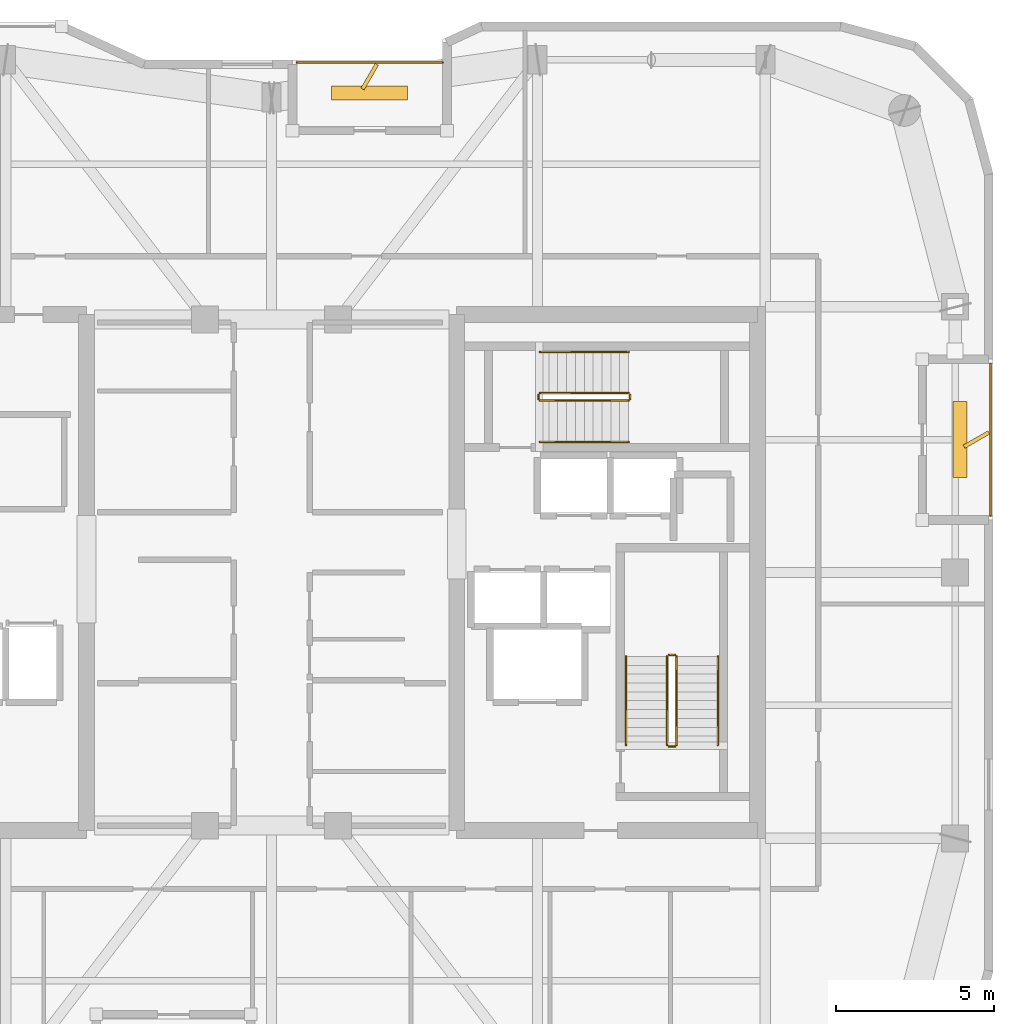
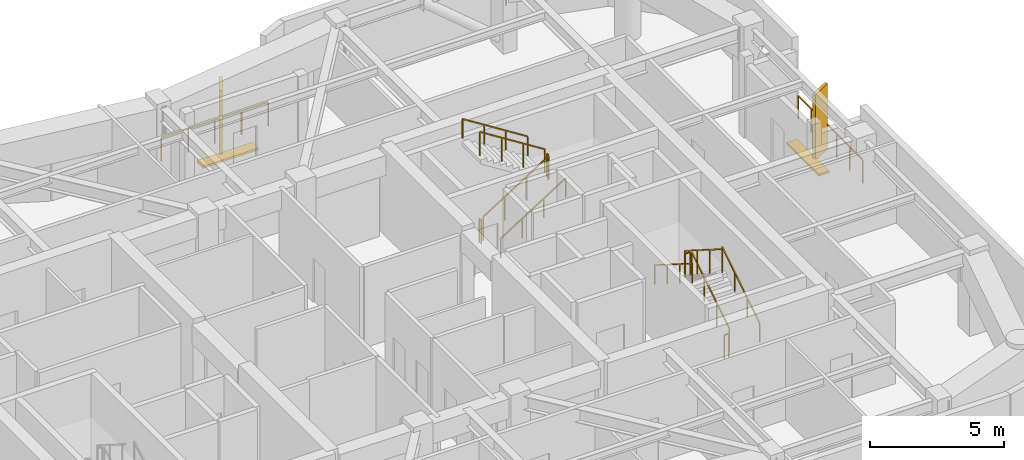
# One storey, part 15 of 15: 14 railings, 4 shading devices.
"""IFC4 building model written with IfcOpenShell, lengths in metres."""

from ifc_helpers import new_model, si_unit, direction, frame, origin, origin_2d, place, context, subcontext, project, spatial, rectangle, extrude, material, type_object, element, save


model = new_model("IFC4")

# Units and contexts
model_context = context("Model", 3, precision=1e-05, world=origin(), true_north=direction((0.0, 1.0)))
body_context = subcontext(model_context, "Body", "Model", "MODEL_VIEW")
ifc_project = project(units=[si_unit("LENGTHUNIT", "METRE"), si_unit("AREAUNIT", "SQUARE_METRE"), si_unit("VOLUMEUNIT", "CUBIC_METRE"), si_unit("PLANEANGLEUNIT", "RADIAN"), si_unit("MASSUNIT", "GRAM", prefix="KILO")], contexts=[model_context])

# Site, building, storey
site_placement = place(None, origin())
site = spatial("IfcSite", under=ifc_project, at=site_placement, CompositionType="ELEMENT")
building_placement = place(site_placement, origin())
building = spatial("IfcBuilding", under=site, at=building_placement, Name="Kiyonajd Concourse Tower", CompositionType="ELEMENT")
storey_placement = place(building_placement, frame((0.0, 0.0, 314.10009765625)))
storey = spatial("IfcBuildingStorey", under=building, at=storey_placement, Name="L79", CompositionType="ELEMENT", Elevation=314.10009765625)

# Railings
ifc_material_1 = material(Name="Thermally Broken Anodised Aluminium", Category="aluminium")
railing_type_1 = type_object("IfcRailingType", Name="RL-GRD-LOG", PredefinedType="GUARDRAIL", material=ifc_material_1)
railing_1_placement = place(storey_placement, frame((53.39990234375, 52.1201171875, 0.0)))
element("IfcRailing", 1, at=railing_1_placement, inside=storey, type_object=railing_type_1, Name="L79 Engawa Loggia Perimeter Guard LOG-N", PredefinedType="GUARDRAIL", context=body_context, shape_type="SweptSolid", body=[
    extrude(rectangle(XDim=0.048095703125, YDim=0.048095703125, at=origin_2d()), frame((0.0, 0.0, 1.076171875), z_axis=(-1.0, 0.0, 0.0), x_axis=(0.0, -1.0, 0.0)), (0.0, 0.0, 1.0), 4.599853515625),
    extrude(rectangle(XDim=0.0419921875, YDim=0.0419921875, at=origin_2d()), origin(), (0.0, 0.0, 1.0), 1.052001953125),
    extrude(rectangle(XDim=0.0419921875, YDim=0.0419921875, at=origin_2d()), frame((-1.14990234375, 0.0, 0.0)), (0.0, 0.0, 1.0), 1.052001953125),
    extrude(rectangle(XDim=0.0419921875, YDim=0.0419921875, at=origin_2d()), frame((-2.2998046875, 0.0, 0.0)), (0.0, 0.0, 1.0), 1.052001953125),
    extrude(rectangle(XDim=0.0419921875, YDim=0.0419921875, at=origin_2d()), frame((-3.449951171875, 0.0, 0.0)), (0.0, 0.0, 1.0), 1.052001953125),
    extrude(rectangle(XDim=0.0419921875, YDim=0.0419921875, at=origin_2d()), frame((-4.599853515625, 0.0, 0.0)), (0.0, 0.0, 1.0), 1.052001953125),
])
railing_2_placement = place(storey_placement, frame((70.719970703125, 37.800048828125, 0.0)))
element("IfcRailing", 2, at=railing_2_placement, inside=storey, type_object=railing_type_1, Name="L79 Engawa Loggia Perimeter Guard LOG-E", PredefinedType="GUARDRAIL", context=body_context, shape_type="SweptSolid", body=[
    extrude(rectangle(XDim=0.048095703125, YDim=0.048095703125, at=origin_2d()), frame((0.0, 0.0, 1.076171875), z_axis=(0.0, 1.0, 0.0), x_axis=(-1.0, 0.0, 0.0)), (0.0, 0.0, 1.0), 4.800048828125),
    extrude(rectangle(XDim=0.0419921875, YDim=0.0419921875, at=origin_2d()), origin(), (0.0, 0.0, 1.0), 1.052001953125),
    extrude(rectangle(XDim=0.0419921875, YDim=0.0419921875, at=origin_2d()), frame((0.0, 0.9599609375, 0.0)), (0.0, 0.0, 1.0), 1.052001953125),
    extrude(rectangle(XDim=0.0419921875, YDim=0.0419921875, at=origin_2d()), frame((0.0, 1.919921875, 0.0)), (0.0, 0.0, 1.0), 1.052001953125),
    extrude(rectangle(XDim=0.0419921875, YDim=0.0419921875, at=origin_2d()), frame((0.0, 2.880126953125, 0.0)), (0.0, 0.0, 1.0), 1.052001953125),
    extrude(rectangle(XDim=0.0419921875, YDim=0.0419921875, at=origin_2d()), frame((0.0, 3.840087890625, 0.0)), (0.0, 0.0, 1.0), 1.052001953125),
    extrude(rectangle(XDim=0.0419921875, YDim=0.0419921875, at=origin_2d()), frame((0.0, 4.800048828125, 0.0)), (0.0, 0.0, 1.0), 1.052001953125),
])
ifc_material_2 = material(Name="Steel ASTM A500 Grade C", Category="steel")
railing_type_2 = type_object("IfcRailingType", Name="RL-GRD-STR", PredefinedType="GUARDRAIL", material=ifc_material_2)
railing_3_placement = place(storey_placement, frame((60.800048828125, 30.550048828125, 0.17724609375)))
element("IfcRailing", 3, at=railing_3_placement, inside=storey, type_object=railing_type_2, Name="L79 ST2 stair guard 1", PredefinedType="GUARDRAIL", context=body_context, shape_type="SweptSolid", body=[
    extrude(rectangle(XDim=0.048095703125, YDim=0.048095703125, at=origin_2d()), frame((0.0, 0.0, 1.076171875), z_axis=(0.0, 0.844908973607, 0.534910110503), x_axis=(-1.0, 0.0, 0.0)), (0.0, 0.0, 1.0), 3.31396484375),
    extrude(rectangle(XDim=0.0419921875, YDim=0.0419921875, at=origin_2d()), origin(), (0.0, 0.0, 1.0), 1.052001953125),
    extrude(rectangle(XDim=0.0419921875, YDim=0.0419921875, at=origin_2d()), frame((0.0, 0.933349609375, 0.5908203125)), (0.0, 0.0, 1.0), 1.052001953125),
    extrude(rectangle(XDim=0.0419921875, YDim=0.0419921875, at=origin_2d()), frame((0.0, 1.86669921875, 1.181884765625)), (0.0, 0.0, 1.0), 1.052001953125),
    extrude(rectangle(XDim=0.0419921875, YDim=0.0419921875, at=origin_2d()), frame((0.0, 2.800048828125, 1.772705078125)), (0.0, 0.0, 1.0), 1.052001953125),
])
railing_4_placement = place(storey_placement, frame((60.75, 33.39990234375, 1.949951171875)))
element("IfcRailing", 4, at=railing_4_placement, inside=storey, type_object=railing_type_2, Name="L79 ST2 stair guard 2", PredefinedType="GUARDRAIL", context=body_context, shape_type="SweptSolid", body=[
    extrude(rectangle(XDim=0.048095703125, YDim=0.048095703125, at=origin_2d()), frame((0.0, 0.0, 1.076171875), z_axis=(-1.0, 0.0, 0.0), x_axis=(0.0, -1.0, 0.0)), (0.0, 0.0, 1.0), 0.199951171875),
    extrude(rectangle(XDim=0.0419921875, YDim=0.0419921875, at=origin_2d()), origin(), (0.0, 0.0, 1.0), 1.052001953125),
    extrude(rectangle(XDim=0.0419921875, YDim=0.0419921875, at=origin_2d()), frame((-0.199951171875, 0.0, 0.0)), (0.0, 0.0, 1.0), 1.052001953125),
])
railing_5_placement = place(storey_placement, frame((60.5, 33.35009765625, 2.127197265625)))
element("IfcRailing", 5, at=railing_5_placement, inside=storey, type_object=railing_type_2, Name="L79 ST2 stair guard 3", PredefinedType="GUARDRAIL", context=body_context, shape_type="SweptSolid", body=[
    extrude(rectangle(XDim=0.048095703125, YDim=0.048095703125, at=origin_2d()), frame((0.0, 0.0, 1.076171875), z_axis=(0.0, -0.844908973607, 0.534910110503), x_axis=(1.0, 0.0, 0.0)), (0.0, 0.0, 1.0), 3.31396484375),
    extrude(rectangle(XDim=0.0419921875, YDim=0.0419921875, at=origin_2d()), origin(), (0.0, 0.0, 1.0), 1.052001953125),
    extrude(rectangle(XDim=0.0419921875, YDim=0.0419921875, at=origin_2d()), frame((0.0, -0.933349609375, 0.5908203125)), (0.0, 0.0, 1.0), 1.052001953125),
    extrude(rectangle(XDim=0.0419921875, YDim=0.0419921875, at=origin_2d()), frame((0.0, -1.86669921875, 1.181884765625)), (0.0, 0.0, 1.0), 1.052001953125),
    extrude(rectangle(XDim=0.0419921875, YDim=0.0419921875, at=origin_2d()), frame((0.0, -2.800048828125, 1.772705078125)), (0.0, 0.0, 1.0), 1.052001953125),
])
railing_6_placement = place(storey_placement, frame((60.75, 30.5, 0.0)))
element("IfcRailing", 6, at=railing_6_placement, inside=storey, type_object=railing_type_2, Name="L79 ST2 stair guard 4", PredefinedType="GUARDRAIL", context=body_context, shape_type="SweptSolid", body=[
    extrude(rectangle(XDim=0.048095703125, YDim=0.048095703125, at=origin_2d()), frame((0.0, 0.0, 1.076171875), z_axis=(-1.0, 0.0, 0.0), x_axis=(0.0, -1.0, 0.0)), (0.0, 0.0, 1.0), 0.199951171875),
    extrude(rectangle(XDim=0.0419921875, YDim=0.0419921875, at=origin_2d()), origin(), (0.0, 0.0, 1.0), 1.052001953125),
    extrude(rectangle(XDim=0.0419921875, YDim=0.0419921875, at=origin_2d()), frame((-0.199951171875, 0.0, 0.0)), (0.0, 0.0, 1.0), 1.052001953125),
])
railing_7_placement = place(storey_placement, frame((56.47998046875, 41.429931640625, 0.17724609375)))
element("IfcRailing", 7, at=railing_7_placement, inside=storey, type_object=railing_type_2, Name="L79 ST3 stair guard 1", PredefinedType="GUARDRAIL", context=body_context, shape_type="SweptSolid", body=[
    extrude(rectangle(XDim=0.048095703125, YDim=0.048095703125, at=origin_2d()), frame((0.0, 0.0, 1.076171875), z_axis=(0.844908973607, 0.0, 0.534910110503), x_axis=(0.0, 1.0, 0.0)), (0.0, 0.0, 1.0), 3.31396484375),
    extrude(rectangle(XDim=0.0419921875, YDim=0.0419921875, at=origin_2d()), origin(), (0.0, 0.0, 1.0), 1.052001953125),
    extrude(rectangle(XDim=0.0419921875, YDim=0.0419921875, at=origin_2d()), frame((0.933349609375, 0.0, 0.5908203125)), (0.0, 0.0, 1.0), 1.052001953125),
    extrude(rectangle(XDim=0.0419921875, YDim=0.0419921875, at=origin_2d()), frame((1.86669921875, 0.0, 1.181884765625)), (0.0, 0.0, 1.0), 1.052001953125),
    extrude(rectangle(XDim=0.0419921875, YDim=0.0419921875, at=origin_2d()), frame((2.800048828125, 0.0, 1.772705078125)), (0.0, 0.0, 1.0), 1.052001953125),
])
railing_8_placement = place(storey_placement, frame((59.330078125, 41.47998046875, 1.949951171875)))
element("IfcRailing", 8, at=railing_8_placement, inside=storey, type_object=railing_type_2, Name="L79 ST3 stair guard 2", PredefinedType="GUARDRAIL", context=body_context, shape_type="SweptSolid", body=[
    extrude(rectangle(XDim=0.048095703125, YDim=0.048095703125, at=origin_2d()), frame((0.0, 0.0, 1.076171875), z_axis=(0.0, 1.0, 0.0), x_axis=(-1.0, 0.0, 0.0)), (0.0, 0.0, 1.0), 0.14013671875),
    extrude(rectangle(XDim=0.0419921875, YDim=0.0419921875, at=origin_2d()), origin(), (0.0, 0.0, 1.0), 1.052001953125),
    extrude(rectangle(XDim=0.0419921875, YDim=0.0419921875, at=origin_2d()), frame((0.0, 0.14013671875, 0.0)), (0.0, 0.0, 1.0), 1.052001953125),
])
railing_9_placement = place(storey_placement, frame((59.280029296875, 41.669921875, 2.127197265625)))
element("IfcRailing", 9, at=railing_9_placement, inside=storey, type_object=railing_type_2, Name="L79 ST3 stair guard 3", PredefinedType="GUARDRAIL", context=body_context, shape_type="SweptSolid", body=[
    extrude(rectangle(XDim=0.048095703125, YDim=0.048095703125, at=origin_2d()), frame((0.0, 0.0, 1.076171875), z_axis=(-0.844908973607, 0.0, 0.534910110503), x_axis=(0.0, -1.0, 0.0)), (0.0, 0.0, 1.0), 3.31396484375),
    extrude(rectangle(XDim=0.0419921875, YDim=0.0419921875, at=origin_2d()), origin(), (0.0, 0.0, 1.0), 1.052001953125),
    extrude(rectangle(XDim=0.0419921875, YDim=0.0419921875, at=origin_2d()), frame((-0.933349609375, 0.0, 0.5908203125)), (0.0, 0.0, 1.0), 1.052001953125),
    extrude(rectangle(XDim=0.0419921875, YDim=0.0419921875, at=origin_2d()), frame((-1.86669921875, 0.0, 1.181884765625)), (0.0, 0.0, 1.0), 1.052001953125),
    extrude(rectangle(XDim=0.0419921875, YDim=0.0419921875, at=origin_2d()), frame((-2.800048828125, 0.0, 1.772705078125)), (0.0, 0.0, 1.0), 1.052001953125),
])
railing_10_placement = place(storey_placement, frame((56.429931640625, 41.47998046875, 0.0)))
element("IfcRailing", 10, at=railing_10_placement, inside=storey, type_object=railing_type_2, Name="L79 ST3 stair guard 4", PredefinedType="GUARDRAIL", context=body_context, shape_type="SweptSolid", body=[
    extrude(rectangle(XDim=0.048095703125, YDim=0.048095703125, at=origin_2d()), frame((0.0, 0.0, 1.076171875), z_axis=(0.0, 1.0, 0.0), x_axis=(-1.0, 0.0, 0.0)), (0.0, 0.0, 1.0), 0.14013671875),
    extrude(rectangle(XDim=0.0419921875, YDim=0.0419921875, at=origin_2d()), origin(), (0.0, 0.0, 1.0), 1.052001953125),
    extrude(rectangle(XDim=0.0419921875, YDim=0.0419921875, at=origin_2d()), frame((0.0, 0.14013671875, 0.0)), (0.0, 0.0, 1.0), 1.052001953125),
])
ifc_material_3 = material(Name="Brushed Stainless Steel Cab Assembly", Category="steel")
railing_type_3 = type_object("IfcRailingType", Name="RL-HND-900", PredefinedType="HANDRAIL", material=ifc_material_3)
railing_11_placement = place(storey_placement, frame((62.10009765625, 30.550048828125, 0.17724609375)))
element("IfcRailing", 11, at=railing_11_placement, inside=storey, type_object=railing_type_3, Name="L79 ST2 stair handrail 1", PredefinedType="HANDRAIL", context=body_context, shape_type="SweptSolid", body=[
    extrude(rectangle(XDim=0.048095703125, YDim=0.048095703125, at=origin_2d()), frame((0.0, 0.0, 0.8759765625), z_axis=(0.0, 0.844908973607, 0.534910110503), x_axis=(-1.0, 0.0, 0.0)), (0.0, 0.0, 1.0), 3.31396484375),
    extrude(rectangle(XDim=0.0419921875, YDim=0.0419921875, at=origin_2d()), origin(), (0.0, 0.0, 1.0), 0.851806640625),
    extrude(rectangle(XDim=0.0419921875, YDim=0.0419921875, at=origin_2d()), frame((0.0, 0.933349609375, 0.5908203125)), (0.0, 0.0, 1.0), 0.851806640625),
    extrude(rectangle(XDim=0.0419921875, YDim=0.0419921875, at=origin_2d()), frame((0.0, 1.86669921875, 1.181884765625)), (0.0, 0.0, 1.0), 0.851806640625),
    extrude(rectangle(XDim=0.0419921875, YDim=0.0419921875, at=origin_2d()), frame((0.0, 2.800048828125, 1.772705078125)), (0.0, 0.0, 1.0), 0.851806640625),
])
railing_12_placement = place(storey_placement, frame((59.199951171875, 33.35009765625, 2.127197265625)))
element("IfcRailing", 12, at=railing_12_placement, inside=storey, type_object=railing_type_3, Name="L79 ST2 stair handrail 2", PredefinedType="HANDRAIL", context=body_context, shape_type="SweptSolid", body=[
    extrude(rectangle(XDim=0.048095703125, YDim=0.048095703125, at=origin_2d()), frame((0.0, 0.0, 0.8759765625), z_axis=(0.0, -0.844908973607, 0.534910110503), x_axis=(1.0, 0.0, 0.0)), (0.0, 0.0, 1.0), 3.31396484375),
    extrude(rectangle(XDim=0.0419921875, YDim=0.0419921875, at=origin_2d()), origin(), (0.0, 0.0, 1.0), 0.851806640625),
    extrude(rectangle(XDim=0.0419921875, YDim=0.0419921875, at=origin_2d()), frame((0.0, -0.933349609375, 0.5908203125)), (0.0, 0.0, 1.0), 0.851806640625),
    extrude(rectangle(XDim=0.0419921875, YDim=0.0419921875, at=origin_2d()), frame((0.0, -1.86669921875, 1.181884765625)), (0.0, 0.0, 1.0), 0.851806640625),
    extrude(rectangle(XDim=0.0419921875, YDim=0.0419921875, at=origin_2d()), frame((0.0, -2.800048828125, 1.772705078125)), (0.0, 0.0, 1.0), 0.851806640625),
])
railing_13_placement = place(storey_placement, frame((56.47998046875, 40.1298828125, 0.17724609375)))
element("IfcRailing", 13, at=railing_13_placement, inside=storey, type_object=railing_type_3, Name="L79 ST3 stair handrail 1", PredefinedType="HANDRAIL", context=body_context, shape_type="SweptSolid", body=[
    extrude(rectangle(XDim=0.048095703125, YDim=0.048095703125, at=origin_2d()), frame((0.0, 0.0, 0.8759765625), z_axis=(0.844908973607, 0.0, 0.534910110503), x_axis=(0.0, 1.0, 0.0)), (0.0, 0.0, 1.0), 3.31396484375),
    extrude(rectangle(XDim=0.0419921875, YDim=0.0419921875, at=origin_2d()), origin(), (0.0, 0.0, 1.0), 0.851806640625),
    extrude(rectangle(XDim=0.0419921875, YDim=0.0419921875, at=origin_2d()), frame((0.933349609375, 0.0, 0.5908203125)), (0.0, 0.0, 1.0), 0.851806640625),
    extrude(rectangle(XDim=0.0419921875, YDim=0.0419921875, at=origin_2d()), frame((1.86669921875, 0.0, 1.181884765625)), (0.0, 0.0, 1.0), 0.851806640625),
    extrude(rectangle(XDim=0.0419921875, YDim=0.0419921875, at=origin_2d()), frame((2.800048828125, 0.0, 1.772705078125)), (0.0, 0.0, 1.0), 0.851806640625),
])
railing_14_placement = place(storey_placement, frame((59.280029296875, 42.969970703125, 2.127197265625)))
element("IfcRailing", 14, at=railing_14_placement, inside=storey, type_object=railing_type_3, Name="L79 ST3 stair handrail 2", PredefinedType="HANDRAIL", context=body_context, shape_type="SweptSolid", body=[
    extrude(rectangle(XDim=0.048095703125, YDim=0.048095703125, at=origin_2d()), frame((0.0, 0.0, 0.8759765625), z_axis=(-0.844908973607, 0.0, 0.534910110503), x_axis=(0.0, -1.0, 0.0)), (0.0, 0.0, 1.0), 3.31396484375),
    extrude(rectangle(XDim=0.0419921875, YDim=0.0419921875, at=origin_2d()), origin(), (0.0, 0.0, 1.0), 0.851806640625),
    extrude(rectangle(XDim=0.0419921875, YDim=0.0419921875, at=origin_2d()), frame((-0.933349609375, 0.0, 0.5908203125)), (0.0, 0.0, 1.0), 0.851806640625),
    extrude(rectangle(XDim=0.0419921875, YDim=0.0419921875, at=origin_2d()), frame((-1.86669921875, 0.0, 1.181884765625)), (0.0, 0.0, 1.0), 0.851806640625),
    extrude(rectangle(XDim=0.0419921875, YDim=0.0419921875, at=origin_2d()), frame((-2.800048828125, 0.0, 1.772705078125)), (0.0, 0.0, 1.0), 0.851806640625),
])

# Shading devices
ifc_material_4 = material(Name="Precast concrete C50/60", Category="concrete")
shading_device_type_1 = type_object("IfcShadingDeviceType", Name="SH-FIN-900", PredefinedType="USERDEFINED", material=ifc_material_4)
for number, where, z_axis, x_axis, name in (
    (15, (51.10009765625, 51.669921875, 0.0), (0.0, 0.0, 1.0), (0.5, 0.866025403784, 0.0), "L79 Angled Koshi Solar Fin LOG-N"),
    (16, (70.27001953125, 40.199951171875, 0.0), (0.0, 0.0, 1.0), (0.866025403784, 0.5, 0.0), "L79 Angled Koshi Solar Fin LOG-E"),
):
    element("IfcShadingDevice", number, at=place(storey_placement, frame(where, z_axis=z_axis, x_axis=x_axis)), inside=storey, type_object=shading_device_type_1, Name=name, ObjectType="FIN", PredefinedType="USERDEFINED", context=body_context, shape_type="SweptSolid", body=[
        extrude(rectangle(XDim=0.89990234375, YDim=0.1201171875, at=origin_2d()), origin(), (0.0, 0.0, 1.0), 3.0),
    ])
shading_device_type_2 = type_object("IfcShadingDeviceType", Name="SH-LVR-600", PredefinedType="JALOUSIE", material=ifc_material_1)
for number, where, z_axis, x_axis, name in (
    (17, (51.10009765625, 51.14990234375, -0.000244140625), (0.0, 0.0, 1.0), (1.0, 0.0, 0.0), "L79 Loggia Threshold Louver LOG-N"),
    (18, (69.75, 40.199951171875, -0.000244140625), (0.0, 0.0, 1.0), (0.0, 1.0, 0.0), "L79 Loggia Threshold Louver LOG-E"),
):
    element("IfcShadingDevice", number, at=place(storey_placement, frame(where, z_axis=z_axis, x_axis=x_axis)), inside=storey, type_object=shading_device_type_2, Name=name, PredefinedType="JALOUSIE", context=body_context, shape_type="SweptSolid", body=[
        extrude(rectangle(XDim=2.39990234375, YDim=0.449951171875, at=origin_2d()), origin(), (0.0, 0.0, 1.0), 0.10009765625),
    ])

save(model, "model.ifc")
